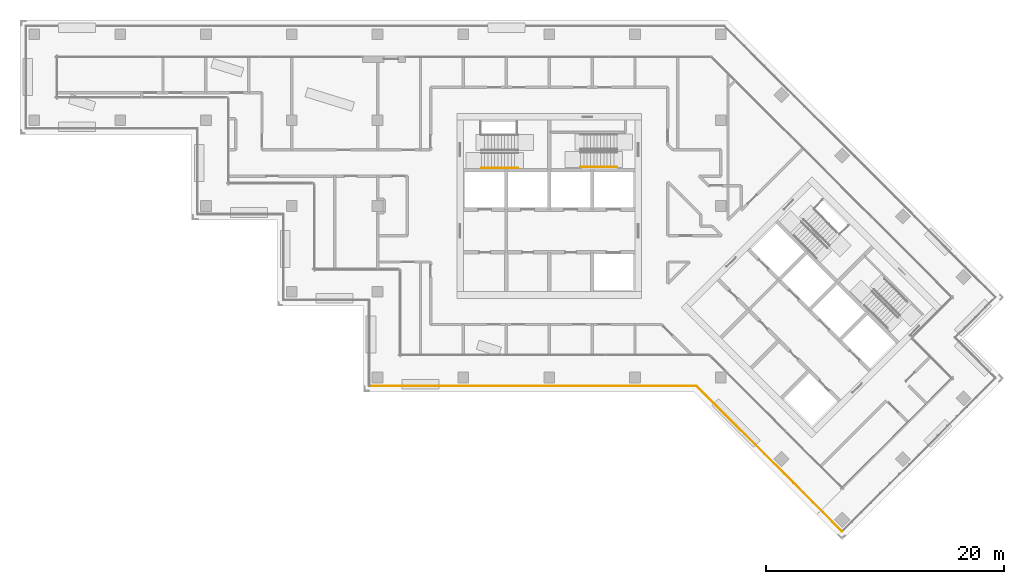
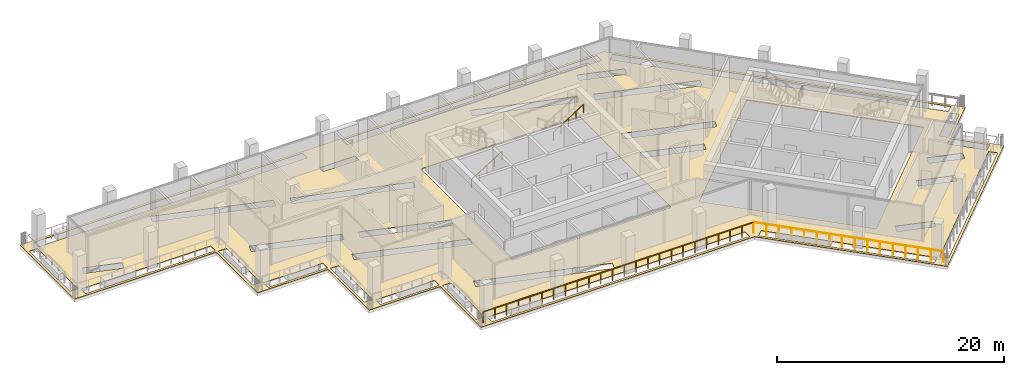
# One storey, part 14 of 19: 4 railings, 1 covering.
"""IFC4 building model written with IfcOpenShell, lengths in metres."""

from ifc_helpers import new_model, si_unit, direction, frame, origin, origin_2d, place, context, subcontext, project, spatial, polyline, circle, outline, extrude, material, layer, layer_set, type_object, element, save


model = new_model("IFC4")

# Units and contexts
model_context = context("Model", 3, precision=1e-05, world=origin(), true_north=direction((0.0, 1.0)))
body_context = subcontext(model_context, "Body", "Model", "MODEL_VIEW")
ifc_project = project(units=[si_unit("LENGTHUNIT", "METRE"), si_unit("AREAUNIT", "SQUARE_METRE"), si_unit("VOLUMEUNIT", "CUBIC_METRE"), si_unit("PLANEANGLEUNIT", "RADIAN"), si_unit("MASSUNIT", "GRAM", prefix="KILO")], contexts=[model_context])

# Site, building, storey
site_placement = place(None, origin())
site = spatial("IfcSite", under=ifc_project, at=site_placement, CompositionType="ELEMENT")
building_placement = place(site_placement, origin())
building = spatial("IfcBuilding", under=site, at=building_placement, Name="Windrow Commons", CompositionType="ELEMENT")
storey_placement = place(building_placement, frame((0.0, 0.0, 185.4)))
storey = spatial("IfcBuildingStorey", under=building, at=storey_placement, Name="L50", CompositionType="ELEMENT", Elevation=185.4)

# Railings
ifc_material_1 = material(Name="Steel S355", Category="steel")
railing_type_1 = type_object("IfcRailingType", Name="Core stair handrail 900", PredefinedType="HANDRAIL", material=ifc_material_1)
railing_1_placement = place(storey_placement, frame((59.1, 60.8, 0.175)))
element("IfcRailing", 1, at=railing_1_placement, inside=storey, type_object=railing_type_1, Name="L50 ST-A1 stair handrail 1", PredefinedType="HANDRAIL", context=body_context, shape_type="SweptSolid", body=[
    extrude(circle(Radius=0.024, at=origin_2d()), frame((0.0, 0.0, 0.876), z_axis=(0.847998304, 0.0, 0.52999894), x_axis=(0.0, 1.0, 0.0)), (0.0, 0.0, 1.0), 3.6321),
    extrude(circle(Radius=0.021, at=origin_2d()), origin(), (0.0, 0.0, 1.0), 0.852),
    extrude(circle(Radius=0.021, at=origin_2d()), frame((0.77, 0.0, 0.4813)), (0.0, 0.0, 1.0), 0.852),
    extrude(circle(Radius=0.021, at=origin_2d()), frame((1.54, 0.0, 0.9625)), (0.0, 0.0, 1.0), 0.852),
    extrude(circle(Radius=0.021, at=origin_2d()), frame((2.31, 0.0, 1.4438)), (0.0, 0.0, 1.0), 0.852),
    extrude(circle(Radius=0.021, at=origin_2d()), frame((3.08, 0.0, 1.925)), (0.0, 0.0, 1.0), 0.852),
])
railing_2_placement = place(storey_placement, frame((67.42, 60.855, 2.275)))
element("IfcRailing", 2, at=railing_2_placement, inside=storey, type_object=railing_type_1, Name="L50 ST-A2 stair handrail 2", PredefinedType="HANDRAIL", context=body_context, shape_type="SweptSolid", body=[
    extrude(circle(Radius=0.024, at=origin_2d()), frame((0.0, 0.0, 0.876), z_axis=(0.847998304, 0.0, 0.52999894), x_axis=(0.0, 1.0, 0.0)), (0.0, 0.0, 1.0), 3.6321),
    extrude(circle(Radius=0.021, at=origin_2d()), origin(), (0.0, 0.0, 1.0), 0.852),
    extrude(circle(Radius=0.021, at=origin_2d()), frame((0.77, 0.0, 0.4812)), (0.0, 0.0, 1.0), 0.852),
    extrude(circle(Radius=0.021, at=origin_2d()), frame((1.54, 0.0, 0.9625)), (0.0, 0.0, 1.0), 0.852),
    extrude(circle(Radius=0.021, at=origin_2d()), frame((2.31, 0.0, 1.4437)), (0.0, 0.0, 1.0), 0.852),
    extrude(circle(Radius=0.021, at=origin_2d()), frame((3.08, 0.0, 1.925)), (0.0, 0.0, 1.0), 0.852),
])
ifc_material_2 = material(Name="Stainless steel S316 balustrade with toughened glass infill", Category="steel")
railing_type_2 = type_object("IfcRailingType", Name="Terrace guard 1200 podium", PredefinedType="BALUSTRADE", material=ifc_material_2)
railing_3_placement = place(storey_placement, frame((77.163, 42.5, 0.05)))
element("IfcRailing", 3, at=railing_3_placement, inside=storey, type_object=railing_type_2, Name="Guard TR-L50-1.E1", PredefinedType="BALUSTRADE", context=body_context, shape_type="SweptSolid", body=[
    extrude(circle(Radius=0.025, at=origin_2d()), frame((0.0, 0.0, 1.175), z_axis=(-1.0, 0.0, 0.0), x_axis=(0.0, -1.0, 0.0)), (0.0, 0.0, 1.0), 27.463),
    extrude(circle(Radius=0.02, at=origin_2d()), origin(), (0.0, 0.0, 1.0), 1.15),
    extrude(circle(Radius=0.02, at=origin_2d()), frame((-1.194, 0.0, 0.0)), (0.0, 0.0, 1.0), 1.15),
    extrude(circle(Radius=0.02, at=origin_2d()), frame((-2.3881, 0.0, 0.0)), (0.0, 0.0, 1.0), 1.15),
    extrude(circle(Radius=0.02, at=origin_2d()), frame((-3.5821, 0.0, 0.0)), (0.0, 0.0, 1.0), 1.15),
    extrude(circle(Radius=0.02, at=origin_2d()), frame((-4.7762, 0.0, 0.0)), (0.0, 0.0, 1.0), 1.15),
    extrude(circle(Radius=0.02, at=origin_2d()), frame((-5.9702, 0.0, 0.0)), (0.0, 0.0, 1.0), 1.15),
    extrude(circle(Radius=0.02, at=origin_2d()), frame((-7.1643, 0.0, 0.0)), (0.0, 0.0, 1.0), 1.15),
    extrude(circle(Radius=0.02, at=origin_2d()), frame((-8.3583, 0.0, 0.0)), (0.0, 0.0, 1.0), 1.15),
    extrude(circle(Radius=0.02, at=origin_2d()), frame((-9.5523, 0.0, 0.0)), (0.0, 0.0, 1.0), 1.15),
    extrude(circle(Radius=0.02, at=origin_2d()), frame((-10.7464, 0.0, 0.0)), (0.0, 0.0, 1.0), 1.15),
    extrude(circle(Radius=0.02, at=origin_2d()), frame((-11.9404, 0.0, 0.0)), (0.0, 0.0, 1.0), 1.15),
    extrude(circle(Radius=0.02, at=origin_2d()), frame((-13.1345, 0.0, 0.0)), (0.0, 0.0, 1.0), 1.15),
    extrude(circle(Radius=0.02, at=origin_2d()), frame((-14.3285, 0.0, 0.0)), (0.0, 0.0, 1.0), 1.15),
    extrude(circle(Radius=0.02, at=origin_2d()), frame((-15.5226, 0.0, 0.0)), (0.0, 0.0, 1.0), 1.15),
    extrude(circle(Radius=0.02, at=origin_2d()), frame((-16.7166, 0.0, 0.0)), (0.0, 0.0, 1.0), 1.15),
    extrude(circle(Radius=0.02, at=origin_2d()), frame((-17.9107, 0.0, 0.0)), (0.0, 0.0, 1.0), 1.15),
    extrude(circle(Radius=0.02, at=origin_2d()), frame((-19.1047, 0.0, 0.0)), (0.0, 0.0, 1.0), 1.15),
    extrude(circle(Radius=0.02, at=origin_2d()), frame((-20.2987, 0.0, 0.0)), (0.0, 0.0, 1.0), 1.15),
    extrude(circle(Radius=0.02, at=origin_2d()), frame((-21.4928, 0.0, 0.0)), (0.0, 0.0, 1.0), 1.15),
    extrude(circle(Radius=0.02, at=origin_2d()), frame((-22.6868, 0.0, 0.0)), (0.0, 0.0, 1.0), 1.15),
    extrude(circle(Radius=0.02, at=origin_2d()), frame((-23.8809, 0.0, 0.0)), (0.0, 0.0, 1.0), 1.15),
    extrude(circle(Radius=0.02, at=origin_2d()), frame((-25.0749, 0.0, 0.0)), (0.0, 0.0, 1.0), 1.15),
    extrude(circle(Radius=0.02, at=origin_2d()), frame((-26.269, 0.0, 0.0)), (0.0, 0.0, 1.0), 1.15),
    extrude(circle(Radius=0.02, at=origin_2d()), frame((-27.463, 0.0, 0.0)), (0.0, 0.0, 1.0), 1.15),
])
railing_4_placement = place(storey_placement, frame((89.3823, 30.2807, 0.05)))
element("IfcRailing", 4, at=railing_4_placement, inside=storey, type_object=railing_type_2, Name="Guard TR-L50-1.E14", PredefinedType="BALUSTRADE", context=body_context, shape_type="SweptSolid", body=[
    extrude(circle(Radius=0.025, at=origin_2d()), frame((0.0, 0.0, 1.175), z_axis=(-0.7071067812, 0.7071067812, 0.0), x_axis=(-0.7071067812, -0.7071067812, 0.0)), (0.0, 0.0, 1.0), 17.2807),
    extrude(circle(Radius=0.02, at=origin_2d()), origin(), (0.0, 0.0, 1.0), 1.15),
    extrude(circle(Radius=0.02, at=origin_2d()), frame((-0.8146, 0.8146, 0.0)), (0.0, 0.0, 1.0), 1.15),
    extrude(circle(Radius=0.02, at=origin_2d()), frame((-1.6292, 1.6292, 0.0)), (0.0, 0.0, 1.0), 1.15),
    extrude(circle(Radius=0.02, at=origin_2d()), frame((-2.4439, 2.4439, 0.0)), (0.0, 0.0, 1.0), 1.15),
    extrude(circle(Radius=0.02, at=origin_2d()), frame((-3.2585, 3.2585, 0.0)), (0.0, 0.0, 1.0), 1.15),
    extrude(circle(Radius=0.02, at=origin_2d()), frame((-4.0731, 4.0731, 0.0)), (0.0, 0.0, 1.0), 1.15),
    extrude(circle(Radius=0.02, at=origin_2d()), frame((-4.8877, 4.8877, 0.0)), (0.0, 0.0, 1.0), 1.15),
    extrude(circle(Radius=0.02, at=origin_2d()), frame((-5.7023, 5.7023, 0.0)), (0.0, 0.0, 1.0), 1.15),
    extrude(circle(Radius=0.02, at=origin_2d()), frame((-6.517, 6.517, 0.0)), (0.0, 0.0, 1.0), 1.15),
    extrude(circle(Radius=0.02, at=origin_2d()), frame((-7.3316, 7.3316, 0.0)), (0.0, 0.0, 1.0), 1.15),
    extrude(circle(Radius=0.02, at=origin_2d()), frame((-8.1462, 8.1462, 0.0)), (0.0, 0.0, 1.0), 1.15),
    extrude(circle(Radius=0.02, at=origin_2d()), frame((-8.9608, 8.9608, 0.0)), (0.0, 0.0, 1.0), 1.15),
    extrude(circle(Radius=0.02, at=origin_2d()), frame((-9.7754, 9.7754, 0.0)), (0.0, 0.0, 1.0), 1.15),
    extrude(circle(Radius=0.02, at=origin_2d()), frame((-10.5901, 10.5901, 0.0)), (0.0, 0.0, 1.0), 1.15),
    extrude(circle(Radius=0.02, at=origin_2d()), frame((-11.4047, 11.4047, 0.0)), (0.0, 0.0, 1.0), 1.15),
    extrude(circle(Radius=0.02, at=origin_2d()), frame((-12.2193, 12.2193, 0.0)), (0.0, 0.0, 1.0), 1.15),
])

# Covering
ifc_material_3 = material(Name="Granite paving", Category="masonry")
ifc_layer = layer(ifc_material_3, 0.05)
ifc_layer_set = layer_set([ifc_layer], Name="Terrace paving 50")
covering_type = type_object("IfcCoveringType", Name="Terrace paving 50", PredefinedType="FLOORING", material=ifc_layer_set)
covering_placement = place(storey_placement, origin())
element("IfcCovering", 5, at=covering_placement, inside=storey, type_object=covering_type, Name="Terrace paving TR-L50-1", PredefinedType="FLOORING", context=body_context, shape_type="SweptSolid", body=[
    extrude(outline(polyline([(49.2, 42.0), (49.2, 49.2), (42.0, 49.2), (42.0, 56.4), (34.8, 56.4), (34.8, 63.6), (20.4, 63.6), (20.4, 73.2), (79.6971, 73.2), (102.9588, 49.9383), (99.5647, 46.5442), (102.9588, 43.15), (89.3823, 29.5736), (76.9559, 42.0), (49.2, 42.0)]), holes=[polyline([(76.6251, 43.06), (50.45, 43.06), (50.45, 42.24), (76.6251, 42.24), (76.6251, 43.06)]), polyline([(51.9154, 47.6486), (63.8757, 43.9499), (64.118, 44.7333), (52.1577, 48.432), (51.9154, 47.6486)]), polyline([(50.26, 43.25), (50.26, 49.25), (49.44, 49.25), (49.44, 43.25), (50.26, 43.25)]), polyline([(49.25, 50.26), (43.25, 50.26), (43.25, 49.44), (49.25, 49.44), (49.25, 50.26)]), polyline([(43.06, 50.45), (43.06, 56.45), (42.24, 56.45), (42.24, 50.45), (43.06, 50.45)]), polyline([(44.7154, 56.5743), (54.8923, 53.4271), (55.1346, 54.2105), (44.9577, 57.3577), (44.7154, 56.5743)]), polyline([(42.05, 57.46), (36.05, 57.46), (36.05, 56.64), (42.05, 56.64), (42.05, 57.46)]), polyline([(46.9204, 59.2419), (54.8923, 56.7766), (55.1346, 57.56), (47.1627, 60.0253), (46.9204, 59.2419)]), polyline([(35.86, 57.65), (35.86, 63.65), (35.04, 63.65), (35.04, 57.65), (35.86, 57.65)]), polyline([(37.5154, 62.1504), (45.4873, 59.6851), (45.7296, 60.4685), (37.7577, 62.9338), (37.5154, 62.1504)]), polyline([(34.85, 64.66), (21.65, 64.66), (21.65, 63.84), (34.85, 63.84), (34.85, 64.66)]), polyline([(44.3056, 66.7496), (54.8923, 63.4756), (55.1346, 64.259), (44.5479, 67.533), (44.3056, 66.7496)]), polyline([(23.1154, 66.6036), (26.5228, 65.5499), (26.765, 66.3333), (23.3577, 67.387), (23.1154, 66.6036)]), polyline([(21.46, 64.85), (21.46, 71.95), (20.64, 71.95), (20.64, 64.85), (21.46, 64.85)]), polyline([(32.2858, 70.4667), (42.8725, 67.1928), (43.1148, 67.9762), (32.5281, 71.2501), (32.2858, 70.4667)]), polyline([(49.1274, 70.25), (49.1274, 69.6), (52.7274, 69.6), (52.7274, 70.25), (49.1274, 70.25)]), polyline([(21.65, 72.14), (48.9274, 72.14), (48.9274, 72.96), (21.65, 72.96), (21.65, 72.14)]), polyline([(88.2078, 36.4252), (91.5383, 35.3952), (91.7806, 36.1786), (88.4501, 37.2086), (88.2078, 36.4252)]), polyline([(89.2479, 31.207), (77.9393, 42.5156), (77.3595, 41.9358), (88.6681, 30.6272), (89.2479, 31.207)]), polyline([(101.3254, 43.0157), (89.5167, 31.207), (90.0965, 30.6271), (101.9052, 42.4358), (101.3254, 43.0157)]), polyline([(93.3245, 41.5419), (96.655, 40.5119), (96.8973, 41.2953), (93.5668, 42.3253), (93.3245, 41.5419)]), polyline([(95.8828, 44.1002), (98.9518, 43.1512), (99.194, 43.9346), (96.1251, 44.8836), (95.8828, 44.1002)]), polyline([(98.7798, 45.83), (101.3254, 43.2844), (101.9053, 43.8642), (99.3597, 46.4098), (98.7798, 45.83)]), polyline([(101.3254, 49.8039), (98.7799, 47.2584), (99.3597, 46.6786), (101.9052, 49.2241), (101.3254, 49.8039)]), polyline([(86.8368, 60.4742), (75.4523, 49.0897), (86.8368, 37.7053), (98.2212, 49.0897), (86.8368, 60.4742)]), polyline([(74.4654, 57.4227), (79.9722, 55.7197), (80.2145, 56.5031), (74.7077, 58.206), (74.4654, 57.4227)]), polyline([(56.75, 65.65), (56.75, 49.55), (72.85, 49.55), (72.85, 65.65), (56.75, 65.65)]), polyline([(74.4654, 60.7722), (82.5306, 58.278), (82.7728, 59.0614), (74.7077, 61.5556), (74.4654, 60.7722)]), polyline([(79.5623, 71.8358), (101.3254, 50.0727), (101.9052, 50.6525), (80.1421, 72.4156), (79.5623, 71.8358)]), polyline([(75.3728, 67.1906), (84.5336, 64.3576), (84.7758, 65.141), (75.6151, 67.974), (75.3728, 67.1906)]), polyline([(64.7791, 70.4667), (73.9398, 67.6338), (74.1821, 68.4172), (65.0214, 71.2501), (64.7791, 70.4667)]), polyline([(75.8525, 71.2501), (75.6102, 70.4667), (79.6844, 69.2068), (79.9267, 69.9901), (75.8525, 71.2501)]), polyline([(52.9274, 72.96), (52.9274, 72.14), (78.8279, 72.14), (78.8279, 72.96), (52.9274, 72.96)])]), origin(), (0.0, 0.0, 1.0), 0.05),
])

save(model, "model.ifc")
